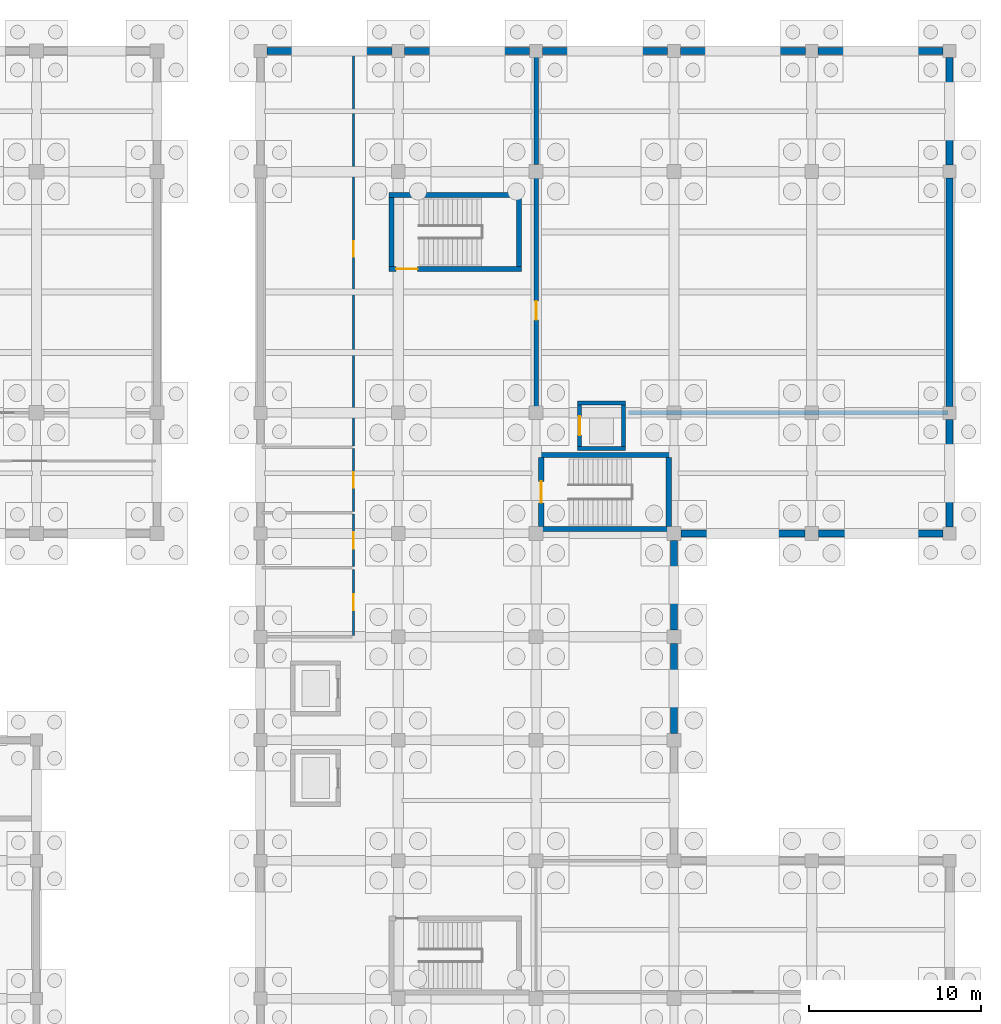
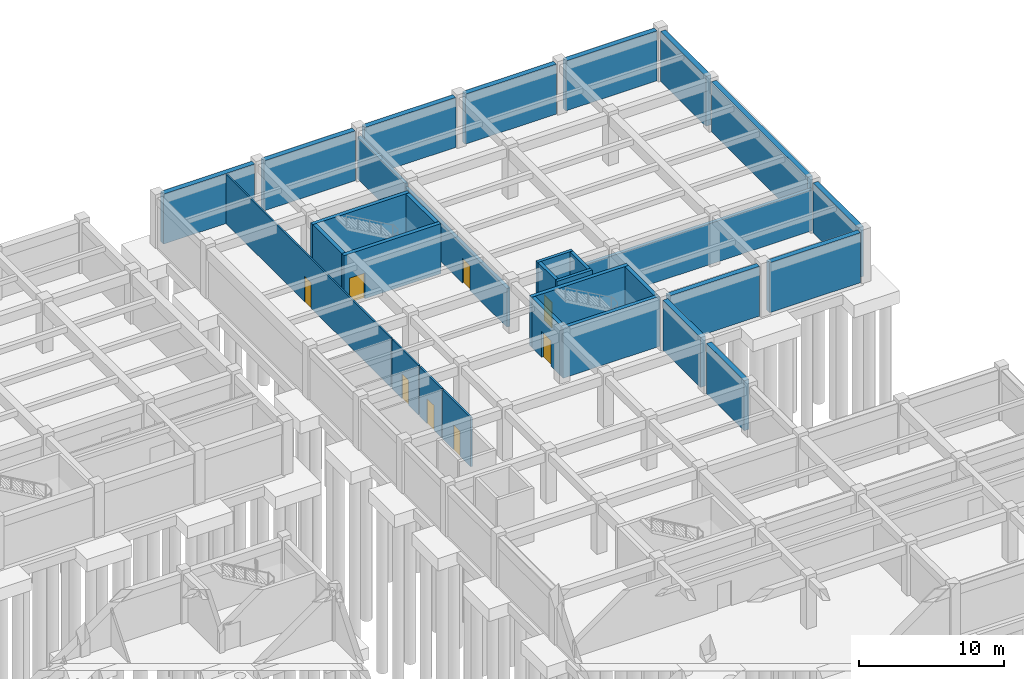
# One storey, part 21 of 28: 31 walls, 8 doors, 8 openings.
"""IFC4 building model written with IfcOpenShell, lengths in metres."""

from ifc_helpers import new_model, si_unit, direction, frame, frame_2d, origin, place, context, subcontext, project, spatial, rectangle, extrude, material, layer, layer_set, type_object, element, fill, save


model = new_model("IFC4")

# Units and contexts
model_context = context("Model", 3, precision=1e-05, world=origin(), true_north=direction((0.0, 1.0)))
body_context = subcontext(model_context, "Body", "Model", "MODEL_VIEW")
ifc_project = project(units=[si_unit("LENGTHUNIT", "METRE"), si_unit("AREAUNIT", "SQUARE_METRE"), si_unit("VOLUMEUNIT", "CUBIC_METRE"), si_unit("PLANEANGLEUNIT", "RADIAN"), si_unit("MASSUNIT", "GRAM", prefix="KILO")], contexts=[model_context])

# Site, building, storey
site_placement = place(None, origin())
site = spatial("IfcSite", under=ifc_project, at=site_placement, CompositionType="ELEMENT")
building_placement = place(site_placement, origin())
building = spatial("IfcBuilding", under=site, at=building_placement, Name="Naurynzar Civic Courthouse", CompositionType="ELEMENT")
storey_placement = place(building_placement, frame((0.0, 0.0, -4.5)))
storey = spatial("IfcBuildingStorey", under=building, at=storey_placement, Name="B01", CompositionType="ELEMENT", Elevation=-4.5)

# Wall
ifc_material_1 = material(Name="Concrete C40/50", Category="concrete")
ifc_layer_1 = layer(ifc_material_1, 0.300048828125)
ifc_layer_set_1 = layer_set([ifc_layer_1], Name="WL-CORE-300")
wall_type_1 = type_object("IfcWallType", Name="WL-CORE-300", PredefinedType="SHEAR", material=ifc_layer_set_1)
wall_1_placement = place(storey_placement, frame((145.14990234375, 63.64990234375, 0.0), z_axis=(0.0, 0.0, 1.0), x_axis=(-1.0, 0.0, 0.0)))
element("IfcWall", 1, at=wall_1_placement, inside=storey, type_object=wall_type_1, Name="Stair ST-V5B enclosure wall north B01", PredefinedType="SHEAR", context=body_context, shape_type="SweptSolid", body=[
    extrude(rectangle(XDim=7.699951171875, YDim=0.300048828125, at=frame_2d((3.85009765625, 0.0))), origin(), (0.0, 0.0, 1.0), 4.199951171875),
])

# Wall, opening, door
wall_2_placement = place(storey_placement, frame((137.449951171875, 59.35009765625, 0.0), z_axis=(0.0, 0.0, 1.0), x_axis=(1.0, 0.0, 0.0)))
wall_2 = element("IfcWall", 2, at=wall_2_placement, inside=storey, type_object=wall_type_1, Name="Stair ST-V5B enclosure wall south B01", PredefinedType="SHEAR", context=body_context, shape_type="SweptSolid", body=[
    extrude(rectangle(XDim=7.699951171875, YDim=0.300048828125, at=frame_2d((3.85009765625, 0.0))), origin(), (0.0, 0.0, 1.0), 4.199951171875),
])
opening_1_placement = place(wall_2_placement, frame((0.425048828125, 0.0, 0.0)))
opening_1 = element("IfcOpeningElement", 3, at=opening_1_placement, cuts=wall_2, Name="Opening SD-068", PredefinedType="OPENING", context=body_context, shape_type="SweptSolid", body=[
    extrude(rectangle(XDim=1.25, YDim=2.14990234375, at=frame_2d((0.625, 1.074951171875))), frame((0.0, 0.159912109375, 0.0), z_axis=(0.0, -1.0, 0.0), x_axis=(1.0, 0.0, 0.0)), (0.0, 0.0, 1.0), 0.320068359375),
])
ifc_material_2 = material(Name="Powder-Coated Galvanised Steel", Category="steel")
door_type_1 = type_object("IfcDoorType", Name="DR-STAIR-1250x2150", OperationType="NOTDEFINED", PredefinedType="DOOR", material=ifc_material_2)
door_1_placement = place(opening_1_placement, origin())
door_1 = element("IfcDoor", 4, at=door_1_placement, inside=storey, type_object=door_type_1, Name="Stair ST-V5B fire door B01", OperationType="SINGLE_SWING_RIGHT", OverallHeight=2.14990234375, OverallWidth=1.25, PredefinedType="DOOR", context=body_context, shape_type="SweptSolid", body=[
    extrude(rectangle(XDim=1.25, YDim=2.14990234375, at=frame_2d((0.625, 1.074951171875))), frame((0.0, 0.02490234375, 0.0), z_axis=(0.0, -1.0, 0.0), x_axis=(1.0, 0.0, 0.0)), (0.0, 0.0, 1.0), 0.050048828125),
])
fill(opening_1, door_1)

# Walls
for number, where, z_axis, x_axis, name in (
    (5, (137.60009765625, 63.4951171875, 0.0), (0.0, 0.0, 1.0), (0.0, -1.0, 0.0), "Stair ST-V5B enclosure wall west B01"),
    (6, (145.0, 59.5048828125, 0.0), (0.0, 0.0, 1.0), (0.0, 1.0, 0.0), "Stair ST-V5B enclosure wall east B01"),
):
    element("IfcWall", number, at=place(storey_placement, frame(where, z_axis=z_axis, x_axis=x_axis)), inside=storey, type_object=wall_type_1, Name=name, PredefinedType="SHEAR", context=body_context, shape_type="SweptSolid", body=[
        extrude(rectangle(XDim=3.990234375, YDim=0.300048828125, at=frame_2d((1.9951171875, 0.0))), origin(), (0.0, 0.0, 1.0), 4.199951171875),
    ])
for number, where, z_axis, x_axis, name in (
    (7, (153.85009765625, 48.550048828125, 0.0), (0.0, 0.0, 1.0), (-1.0, 0.0, 0.0), "Stair ST-CUS enclosure wall north B01"),
    (8, (146.14990234375, 44.25, 0.0), (0.0, 0.0, 1.0), (1.0, 0.0, 0.0), "Stair ST-CUS enclosure wall south B01"),
):
    element("IfcWall", number, at=place(storey_placement, frame(where, z_axis=z_axis, x_axis=x_axis)), inside=storey, type_object=wall_type_1, Name=name, PredefinedType="SHEAR", context=body_context, shape_type="SweptSolid", body=[
        extrude(rectangle(XDim=7.7001953125, YDim=0.300048828125, at=frame_2d((3.85009765625, 0.0))), origin(), (0.0, 0.0, 1.0), 4.199951171875),
    ])

# Wall, opening, door
wall_3_placement = place(storey_placement, frame((146.300048828125, 48.39501953125, 0.0), z_axis=(0.0, 0.0, 1.0), x_axis=(0.0, -1.0, 0.0)))
wall_3 = element("IfcWall", 9, at=wall_3_placement, inside=storey, type_object=wall_type_1, Name="Stair ST-CUS enclosure wall west B01", PredefinedType="SHEAR", context=body_context, shape_type="SweptSolid", body=[
    extrude(rectangle(XDim=3.989990234375, YDim=0.300048828125, at=frame_2d((1.9951171875, 0.0))), origin(), (0.0, 0.0, 1.0), 4.199951171875),
])
opening_2_placement = place(wall_3_placement, frame((1.3701171875, 0.0, 0.0)))
opening_2 = element("IfcOpeningElement", 10, at=opening_2_placement, cuts=wall_3, Name="Opening SD-077", PredefinedType="OPENING", context=body_context, shape_type="SweptSolid", body=[
    extrude(rectangle(XDim=1.25, YDim=2.14990234375, at=frame_2d((0.625, 1.074951171875))), frame((0.0, 0.159912109375, 0.0), z_axis=(0.0, -1.0, 0.0), x_axis=(1.0, 0.0, 0.0)), (0.0, 0.0, 1.0), 0.320068359375),
])
door_2_placement = place(opening_2_placement, origin())
door_2 = element("IfcDoor", 11, at=door_2_placement, inside=storey, type_object=door_type_1, Name="Stair ST-CUS fire door B01", OperationType="SINGLE_SWING_LEFT", OverallHeight=2.14990234375, OverallWidth=1.25, PredefinedType="DOOR", context=body_context, shape_type="SweptSolid", body=[
    extrude(rectangle(XDim=1.25, YDim=2.14990234375, at=frame_2d((0.625, 1.074951171875))), frame((0.0, 0.02490234375, 0.0), z_axis=(0.0, -1.0, 0.0), x_axis=(1.0, 0.0, 0.0)), (0.0, 0.0, 1.0), 0.050048828125),
])
fill(opening_2, door_2)

# Walls
wall_4_placement = place(storey_placement, frame((153.699951171875, 44.405029296875, 0.0), z_axis=(0.0, 0.0, 1.0), x_axis=(0.0, 1.0, 0.0)))
element("IfcWall", 12, at=wall_4_placement, inside=storey, type_object=wall_type_1, Name="Stair ST-CUS enclosure wall east B01", PredefinedType="SHEAR", context=body_context, shape_type="SweptSolid", body=[
    extrude(rectangle(XDim=3.989990234375, YDim=0.300048828125, at=frame_2d((1.9951171875, 0.0))), origin(), (0.0, 0.0, 1.0), 4.199951171875),
])
ifc_material_3 = material(Name="Concrete C40/50", Category="concrete")
ifc_layer_2 = layer(ifc_material_3, 0.260009765625)
ifc_layer_set_2 = layer_set([ifc_layer_2], Name="WL-CUS-260")
wall_type_2 = type_object("IfcWallType", Name="WL-CUS-260", PredefinedType="SOLIDWALL", material=ifc_layer_set_2)
wall_5_placement = place(storey_placement, frame((151.35009765625, 51.0, 0.0), z_axis=(0.0, 0.0, 1.0), x_axis=(1.0, 0.0, 0.0)))
element("IfcWall", 13, at=wall_5_placement, inside=storey, type_object=wall_type_2, Name="V5 interior partition B01.36", PredefinedType="SOLIDWALL", context=body_context, shape_type="SweptSolid", body=[
    extrude(rectangle(XDim=18.56982421875, YDim=0.260009765625, at=frame_2d((9.284912109375, 0.0))), origin(), (0.0, 0.0, 1.0), 3.449951171875),
])

# Wall, opening, door
wall_6_placement = place(storey_placement, frame((146.0, 51.35009765625, 0.0), z_axis=(0.0, 0.0, 1.0), x_axis=(0.0, 1.0, 0.0)))
wall_6 = element("IfcWall", 14, at=wall_6_placement, inside=storey, type_object=wall_type_2, Name="V5 interior partition B01.66a", PredefinedType="SOLIDWALL", context=body_context, shape_type="SweptSolid", body=[
    extrude(rectangle(XDim=14.0498046875, YDim=0.260009765625, at=frame_2d((7.02490234375, 0.0))), origin(), (0.0, 0.0, 1.0), 3.25),
])
opening_3_placement = place(wall_6_placement, frame((5.047607421875, 0.0, 0.0)))
opening_3 = element("IfcOpeningElement", 15, at=opening_3_placement, cuts=wall_6, Name="Opening D-274", PredefinedType="OPENING", context=body_context, shape_type="SweptSolid", body=[
    extrude(rectangle(XDim=1.080078125, YDim=2.10009765625, at=frame_2d((0.5400390625, 1.050048828125))), frame((0.0, 0.139892578125, 0.0), z_axis=(0.0, -1.0, 0.0), x_axis=(1.0, 0.0, 0.0)), (0.0, 0.0, 1.0), 0.280029296875),
])
ifc_material_4 = material(Name="Powder-Coated Galvanised Steel", Category="steel")
door_type_2 = type_object("IfcDoorType", Name="DR-CUS-CELL-1080x2100", OperationType="NOTDEFINED", PredefinedType="DOOR", material=ifc_material_4)
door_3_placement = place(opening_3_placement, origin())
door_3 = element("IfcDoor", 16, at=door_3_placement, inside=storey, type_object=door_type_2, Name="Interior door D-274 (Bailiff Armoury and Escort Locker Suite)", OperationType="SINGLE_SWING_RIGHT", OverallHeight=2.10009765625, OverallWidth=1.080078125, PredefinedType="DOOR", context=body_context, shape_type="SweptSolid", body=[
    extrude(rectangle(XDim=1.080078125, YDim=2.10009765625, at=frame_2d((0.5400390625, 1.050048828125))), frame((0.0, 0.02490234375, 0.0), z_axis=(0.0, -1.0, 0.0), x_axis=(1.0, 0.0, 0.0)), (0.0, 0.0, 1.0), 0.050048828125),
])
fill(opening_3, door_3)

# Wall
wall_7_placement = place(storey_placement, frame((146.0, 65.39990234375, 0.0), z_axis=(0.0, 0.0, 1.0), x_axis=(0.0, 1.0, 0.0)))
element("IfcWall", 17, at=wall_7_placement, inside=storey, type_object=wall_type_2, Name="V5 interior partition B01.66ab", PredefinedType="SOLIDWALL", context=body_context, shape_type="SweptSolid", body=[
    extrude(rectangle(XDim=6.52001953125, YDim=0.260009765625, at=frame_2d((3.260009765625, 0.0))), origin(), (0.0, 0.0, 1.0), 3.550048828125),
])

# Wall, opening, door
ifc_material_5 = material(Name="Metal-Stud Gypsum Partition")
ifc_layer_3 = layer(ifc_material_5, 0.125)
ifc_layer_set_3 = layer_set([ifc_layer_3], Name="WL-PART-STD-125")
wall_type_3 = type_object("IfcWallType", Name="WL-PART-STD-125", PredefinedType="PARTITIONING", material=ifc_layer_set_3)
wall_8_placement = place(storey_placement, frame((135.39990234375, 49.080078125, 0.0), z_axis=(0.0, 0.0, 1.0), x_axis=(0.0, 1.0, 0.0)))
wall_8 = element("IfcWall", 18, at=wall_8_placement, inside=storey, type_object=wall_type_3, Name="V5 interior partition B01.64", PredefinedType="PARTITIONING", context=body_context, shape_type="SweptSolid", body=[
    extrude(rectangle(XDim=22.83984375, YDim=0.125, at=frame_2d((11.419921875, 0.0))), origin(), (0.0, 0.0, 1.0), 4.139892578125),
])
opening_4_placement = place(wall_8_placement, frame((10.969970703125, 0.0, 0.0)))
opening_4 = element("IfcOpeningElement", 19, at=opening_4_placement, cuts=wall_8, Name="Opening D-275", PredefinedType="OPENING", context=body_context, shape_type="SweptSolid", body=[
    extrude(rectangle(XDim=0.89990234375, YDim=2.14990234375, at=frame_2d((0.449951171875, 1.074951171875))), frame((0.0, 0.072509765625, 0.0), z_axis=(0.0, -1.0, 0.0), x_axis=(1.0, 0.0, 0.0)), (0.0, 0.0, 1.0), 0.14501953125),
])
ifc_material_6 = material(Name="Acoustic Oak Timber Grade A", Category="wood")
door_type_3 = type_object("IfcDoorType", Name="DR-SUITE-900x2150", OperationType="NOTDEFINED", PredefinedType="DOOR", material=ifc_material_6)
door_4_placement = place(opening_4_placement, origin())
door_4 = element("IfcDoor", 20, at=door_4_placement, inside=storey, type_object=door_type_3, Name="Interior door D-275 (Emergency Generator and Ventilation Plant)", OperationType="SINGLE_SWING_LEFT", OverallHeight=2.14990234375, OverallWidth=0.89990234375, PredefinedType="DOOR", context=body_context, shape_type="SweptSolid", body=[
    extrude(rectangle(XDim=0.89990234375, YDim=2.14990234375, at=frame_2d((0.449951171875, 1.074951171875))), frame((0.0, 0.02490234375, 0.0), z_axis=(0.0, -1.0, 0.0), x_axis=(1.0, 0.0, 0.0)), (0.0, 0.0, 1.0), 0.050048828125),
])
fill(opening_4, door_4)

ifc_material_7 = material(Name="Moisture-Resistant Plumbing Partition")
ifc_layer_4 = layer(ifc_material_7, 0.139892578125)
ifc_layer_set_4 = layer_set([ifc_layer_4], Name="WL-PART-WC-140")
wall_type_4 = type_object("IfcWallType", Name="WL-PART-WC-140", PredefinedType="PLUMBINGWALL", material=ifc_layer_set_4)
wall_9_placement = place(storey_placement, frame((135.39990234375, 38.080078125, 0.0), z_axis=(0.0, 0.0, 1.0), x_axis=(0.0, 1.0, 0.0)))
wall_9 = element("IfcWall", 21, at=wall_9_placement, inside=storey, type_object=wall_type_4, Name="V5 interior partition B01.61", PredefinedType="PLUMBINGWALL", context=body_context, shape_type="SweptSolid", body=[
    extrude(rectangle(XDim=3.83984375, YDim=0.139892578125, at=frame_2d((1.919921875, 0.0))), origin(), (0.0, 0.0, 1.0), 4.139892578125),
])
opening_5_placement = place(wall_9_placement, frame((1.4599609375, 0.0, 0.0)))
opening_5 = element("IfcOpeningElement", 22, at=opening_5_placement, cuts=wall_9, Name="Opening D-268", PredefinedType="OPENING", context=body_context, shape_type="SweptSolid", body=[
    extrude(rectangle(XDim=0.919921875, YDim=2.10009765625, at=frame_2d((0.4599609375, 1.050048828125))), frame((0.0, 0.079833984375, 0.0), z_axis=(0.0, -1.0, 0.0), x_axis=(1.0, 0.0, 0.0)), (0.0, 0.0, 1.0), 0.159912109375),
])
ifc_material_8 = material(Name="Acoustic Oak Timber Grade A", Category="wood")
door_type_4 = type_object("IfcDoorType", Name="DR-WC-STD-920x2100", OperationType="NOTDEFINED", PredefinedType="DOOR", material=ifc_material_8)
door_5_placement = place(opening_5_placement, origin())
door_5 = element("IfcDoor", 23, at=door_5_placement, inside=storey, type_object=door_type_4, Name="Interior door D-268 (Public WC V5)", OperationType="SINGLE_SWING_RIGHT", OverallHeight=2.10009765625, OverallWidth=0.919921875, PredefinedType="DOOR", context=body_context, shape_type="SweptSolid", body=[
    extrude(rectangle(XDim=0.919921875, YDim=2.10009765625, at=frame_2d((0.4599609375, 1.050048828125))), frame((0.0, 0.02490234375, 0.0), z_axis=(0.0, -1.0, 0.0), x_axis=(1.0, 0.0, 0.0)), (0.0, 0.0, 1.0), 0.050048828125),
])
fill(opening_5, door_5)

wall_10_placement = place(storey_placement, frame((135.39990234375, 42.080078125, 0.0), z_axis=(0.0, 0.0, 1.0), x_axis=(0.0, 1.0, 0.0)))
wall_10 = element("IfcWall", 24, at=wall_10_placement, inside=storey, type_object=wall_type_4, Name="V5 interior partition B01.62", PredefinedType="PLUMBINGWALL", context=body_context, shape_type="SweptSolid", body=[
    extrude(rectangle(XDim=3.0400390625, YDim=0.139892578125, at=frame_2d((1.52001953125, 0.0))), origin(), (0.0, 0.0, 1.0), 4.139892578125),
])
opening_6_placement = place(wall_10_placement, frame((1.0400390625, 0.0, 0.0)))
opening_6 = element("IfcOpeningElement", 25, at=opening_6_placement, cuts=wall_10, Name="Opening D-269", PredefinedType="OPENING", context=body_context, shape_type="SweptSolid", body=[
    extrude(rectangle(XDim=0.9599609375, YDim=2.10009765625, at=frame_2d((0.47998046875, 1.050048828125))), frame((0.0, 0.079833984375, 0.0), z_axis=(0.0, -1.0, 0.0), x_axis=(1.0, 0.0, 0.0)), (0.0, 0.0, 1.0), 0.159912109375),
])
ifc_material_9 = material(Name="Acoustic Oak Timber Grade A", Category="wood")
door_type_5 = type_object("IfcDoorType", Name="DR-WC-ACC-960x2100", OperationType="NOTDEFINED", PredefinedType="DOOR", material=ifc_material_9)
door_6_placement = place(opening_6_placement, origin())
door_6 = element("IfcDoor", 26, at=door_6_placement, inside=storey, type_object=door_type_5, Name="Interior door D-269 (Accessible WC V5)", OperationType="SINGLE_SWING_LEFT", OverallHeight=2.10009765625, OverallWidth=0.9599609375, PredefinedType="DOOR", context=body_context, shape_type="SweptSolid", body=[
    extrude(rectangle(XDim=0.9599609375, YDim=2.10009765625, at=frame_2d((0.47998046875, 1.050048828125))), frame((0.0, 0.02490234375, 0.0), z_axis=(0.0, -1.0, 0.0), x_axis=(1.0, 0.0, 0.0)), (0.0, 0.0, 1.0), 0.050048828125),
])
fill(opening_6, door_6)

wall_11_placement = place(storey_placement, frame((135.39990234375, 45.280029296875, 0.0), z_axis=(0.0, 0.0, 1.0), x_axis=(0.0, 1.0, 0.0)))
wall_11 = element("IfcWall", 27, at=wall_11_placement, inside=storey, type_object=wall_type_4, Name="V5 interior partition B01.63", PredefinedType="PLUMBINGWALL", context=body_context, shape_type="SweptSolid", body=[
    extrude(rectangle(XDim=3.639892578125, YDim=0.139892578125, at=frame_2d((1.81982421875, 0.0))), origin(), (0.0, 0.0, 1.0), 4.139892578125),
])
opening_7_placement = place(wall_11_placement, frame((1.360107421875, 0.0, 0.0)))
opening_7 = element("IfcOpeningElement", 28, at=opening_7_placement, cuts=wall_11, Name="Opening D-270", PredefinedType="OPENING", context=body_context, shape_type="SweptSolid", body=[
    extrude(rectangle(XDim=0.919921875, YDim=2.10009765625, at=frame_2d((0.4599609375, 1.050048828125))), frame((0.0, 0.079833984375, 0.0), z_axis=(0.0, -1.0, 0.0), x_axis=(1.0, 0.0, 0.0)), (0.0, 0.0, 1.0), 0.159912109375),
])
door_7_placement = place(opening_7_placement, origin())
door_7 = element("IfcDoor", 29, at=door_7_placement, inside=storey, type_object=door_type_4, Name="Interior door D-270 (Staff WC V5)", OperationType="SINGLE_SWING_RIGHT", OverallHeight=2.10009765625, OverallWidth=0.919921875, PredefinedType="DOOR", context=body_context, shape_type="SweptSolid", body=[
    extrude(rectangle(XDim=0.919921875, YDim=2.10009765625, at=frame_2d((0.4599609375, 1.050048828125))), frame((0.0, 0.02490234375, 0.0), z_axis=(0.0, -1.0, 0.0), x_axis=(1.0, 0.0, 0.0)), (0.0, 0.0, 1.0), 0.050048828125),
])
fill(opening_7, door_7)

# Walls
ifc_material_10 = material(Name="Concrete C40/50", Category="concrete")
ifc_layer_5 = layer(ifc_material_10, 0.39990234375)
ifc_layer_set_5 = layer_set([ifc_layer_5], Name="WL-RET-400")
wall_type_5 = type_object("IfcWallType", Name="WL-RET-400", PredefinedType="STANDARD", material=ifc_layer_set_5)
for number, where, z_axis, x_axis, name in (
    (30, (130.375, 72.0, 0.0), (0.0, 0.0, 1.0), (1.0, 0.0, 0.0), "V5 basement retaining wall north 1"),
    (31, (138.375, 72.0, 0.0), (0.0, 0.0, 1.0), (1.0, 0.0, 0.0), "V5 basement retaining wall north 2"),
    (32, (146.375, 72.0, 0.0), (0.0, 0.0, 1.0), (1.0, 0.0, 0.0), "V5 basement retaining wall north 3"),
    (33, (154.375, 72.0, 0.0), (0.0, 0.0, 1.0), (1.0, 0.0, 0.0), "V5 basement retaining wall north 4"),
    (34, (162.375, 72.0, 0.0), (0.0, 0.0, 1.0), (1.0, 0.0, 0.0), "V5 basement retaining wall north 5"),
):
    element("IfcWall", number, at=place(storey_placement, frame(where, z_axis=z_axis, x_axis=x_axis)), inside=storey, type_object=wall_type_5, Name=name, PredefinedType="STANDARD", context=body_context, shape_type="SweptSolid", body=[
        extrude(rectangle(XDim=7.25, YDim=0.39990234375, at=frame_2d((3.625, 0.0))), origin(), (0.0, 0.0, 1.0), 4.199951171875),
    ])
wall_12_placement = place(storey_placement, frame((170.0, 71.625, 0.0), z_axis=(0.0, 0.0, 1.0), x_axis=(0.0, -1.0, 0.0)))
element("IfcWall", 35, at=wall_12_placement, inside=storey, type_object=wall_type_5, Name="V5 basement retaining wall east_north 1", PredefinedType="STANDARD", context=body_context, shape_type="SweptSolid", body=[
    extrude(rectangle(XDim=6.25, YDim=0.39990234375, at=frame_2d((3.125, 0.0))), origin(), (0.0, 0.0, 1.0), 4.199951171875),
])
wall_13_placement = place(storey_placement, frame((170.0, 64.625, 0.0), z_axis=(0.0, 0.0, 1.0), x_axis=(0.0, -1.0, 0.0)))
element("IfcWall", 36, at=wall_13_placement, inside=storey, type_object=wall_type_5, Name="V5 basement retaining wall east_north 2", PredefinedType="STANDARD", context=body_context, shape_type="SweptSolid", body=[
    extrude(rectangle(XDim=13.25, YDim=0.39990234375, at=frame_2d((6.625, 0.0))), origin(), (0.0, 0.0, 1.0), 4.199951171875),
])
wall_14_placement = place(storey_placement, frame((170.0, 50.625, 0.0), z_axis=(0.0, 0.0, 1.0), x_axis=(0.0, -1.0, 0.0)))
element("IfcWall", 37, at=wall_14_placement, inside=storey, type_object=wall_type_5, Name="V5 basement retaining wall east_north 3", PredefinedType="STANDARD", context=body_context, shape_type="SweptSolid", body=[
    extrude(rectangle(XDim=6.25, YDim=0.39990234375, at=frame_2d((3.125, 0.0))), origin(), (0.0, 0.0, 1.0), 4.199951171875),
])
wall_15_placement = place(storey_placement, frame((169.625, 44.0, 0.0), z_axis=(0.0, 0.0, 1.0), x_axis=(-1.0, 0.0, 0.0)))
element("IfcWall", 38, at=wall_15_placement, inside=storey, type_object=wall_type_5, Name="V5 basement retaining wall notch_n 1", PredefinedType="STANDARD", context=body_context, shape_type="SweptSolid", body=[
    extrude(rectangle(XDim=7.22509765625, YDim=0.39990234375, at=frame_2d((3.612548828125, 0.0))), origin(), (0.0, 0.0, 1.0), 4.199951171875),
])
wall_16_placement = place(storey_placement, frame((161.60009765625, 44.0, 0.0), z_axis=(0.0, 0.0, 1.0), x_axis=(-1.0, 0.0, 0.0)))
element("IfcWall", 39, at=wall_16_placement, inside=storey, type_object=wall_type_5, Name="V5 basement retaining wall notch_n 2", PredefinedType="STANDARD", context=body_context, shape_type="SweptSolid", body=[
    extrude(rectangle(XDim=7.2001953125, YDim=0.39990234375, at=frame_2d((3.60009765625, 0.0))), origin(), (0.0, 0.0, 1.0), 4.199951171875),
])
for number, where, z_axis, x_axis, name in (
    (40, (154.0, 43.60009765625, 0.0), (0.0, 0.0, 1.0), (0.0, -1.0, 0.0), "V5 basement retaining wall notch_w 1"),
    (41, (154.0, 37.60009765625, 0.0), (0.0, 0.0, 1.0), (0.0, -1.0, 0.0), "V5 basement retaining wall notch_w 2"),
):
    element("IfcWall", number, at=place(storey_placement, frame(where, z_axis=z_axis, x_axis=x_axis)), inside=storey, type_object=wall_type_5, Name=name, PredefinedType="STANDARD", context=body_context, shape_type="SweptSolid", body=[
        extrude(rectangle(XDim=5.2001953125, YDim=0.39990234375, at=frame_2d((2.60009765625, 0.0))), origin(), (0.0, 0.0, 1.0), 4.199951171875),
    ])
ifc_material_11 = material(Name="Concrete C40/50", Category="concrete")
ifc_layer_6 = layer(ifc_material_11, 0.25)
ifc_layer_set_6 = layer_set([ifc_layer_6], Name="WL-SHAFT-250")
wall_type_6 = type_object("IfcWallType", Name="WL-SHAFT-250", PredefinedType="SHEAR", material=ifc_layer_set_6)
for number, where, z_axis, x_axis, name in (
    (42, (148.39990234375, 48.925048828125, 0.0), (0.0, 0.0, 1.0), (1.0, 0.0, 0.0), "Lift LF-CUS shaft wall south B01"),
    (43, (151.199951171875, 51.574951171875, 0.0), (0.0, 0.0, 1.0), (-1.0, 0.0, 0.0), "Lift LF-CUS shaft wall north B01"),
):
    element("IfcWall", number, at=place(storey_placement, frame(where, z_axis=z_axis, x_axis=x_axis)), inside=storey, type_object=wall_type_6, Name=name, PredefinedType="SHEAR", context=body_context, shape_type="SweptSolid", body=[
        extrude(rectangle(XDim=2.800048828125, YDim=0.25, at=frame_2d((1.39990234375, 0.0))), origin(), (0.0, 0.0, 1.0), 4.5),
    ])

# Wall, opening, door
wall_17_placement = place(storey_placement, frame((148.52490234375, 51.445068359375, 0.0), z_axis=(0.0, 0.0, 1.0), x_axis=(0.0, -1.0, 0.0)))
wall_17 = element("IfcWall", 44, at=wall_17_placement, inside=storey, type_object=wall_type_6, Name="Lift LF-CUS shaft wall west B01", PredefinedType="SHEAR", context=body_context, shape_type="SweptSolid", body=[
    extrude(rectangle(XDim=2.39013671875, YDim=0.25, at=frame_2d((1.195068359375, 0.0))), origin(), (0.0, 0.0, 1.0), 4.5),
])
opening_8_placement = place(wall_17_placement, frame((0.64501953125, 0.0, 0.0)))
opening_8 = element("IfcOpeningElement", 45, at=opening_8_placement, cuts=wall_17, Name="Opening LD-086", PredefinedType="OPENING", context=body_context, shape_type="SweptSolid", body=[
    extrude(rectangle(XDim=1.10009765625, YDim=2.14990234375, at=frame_2d((0.550048828125, 1.074951171875))), frame((0.0, 0.135009765625, 0.0), z_axis=(0.0, -1.0, 0.0), x_axis=(1.0, 0.0, 0.0)), (0.0, 0.0, 1.0), 0.27001953125),
])
ifc_material_12 = material(Name="Brushed Stainless Steel 304", Category="steel")
door_type_6 = type_object("IfcDoorType", Name="DR-LIFT-SLIDE-1100x2150", OperationType="DOUBLE_DOOR_SLIDING", PredefinedType="DOOR", material=ifc_material_12)
door_8_placement = place(opening_8_placement, origin())
door_8 = element("IfcDoor", 46, at=door_8_placement, inside=storey, type_object=door_type_6, Name="Lift LF-CUS sliding landing door B01", OperationType="DOUBLE_DOOR_SLIDING", OverallHeight=2.14990234375, OverallWidth=1.10009765625, PredefinedType="DOOR", context=body_context, shape_type="SweptSolid", body=[
    extrude(rectangle(XDim=1.10009765625, YDim=2.14990234375, at=frame_2d((0.550048828125, 1.074951171875))), frame((0.0, 0.02490234375, 0.0), z_axis=(0.0, -1.0, 0.0), x_axis=(1.0, 0.0, 0.0)), (0.0, 0.0, 1.0), 0.050048828125),
])
fill(opening_8, door_8)

# Wall
wall_18_placement = place(storey_placement, frame((151.074951171875, 49.054931640625, 0.0), z_axis=(0.0, 0.0, 1.0), x_axis=(0.0, 1.0, 0.0)))
element("IfcWall", 47, at=wall_18_placement, inside=storey, type_object=wall_type_6, Name="Lift LF-CUS shaft wall east B01", PredefinedType="SHEAR", context=body_context, shape_type="SweptSolid", body=[
    extrude(rectangle(XDim=2.39013671875, YDim=0.25, at=frame_2d((1.195068359375, 0.0))), origin(), (0.0, 0.0, 1.0), 4.5),
])

save(model, "model.ifc")
